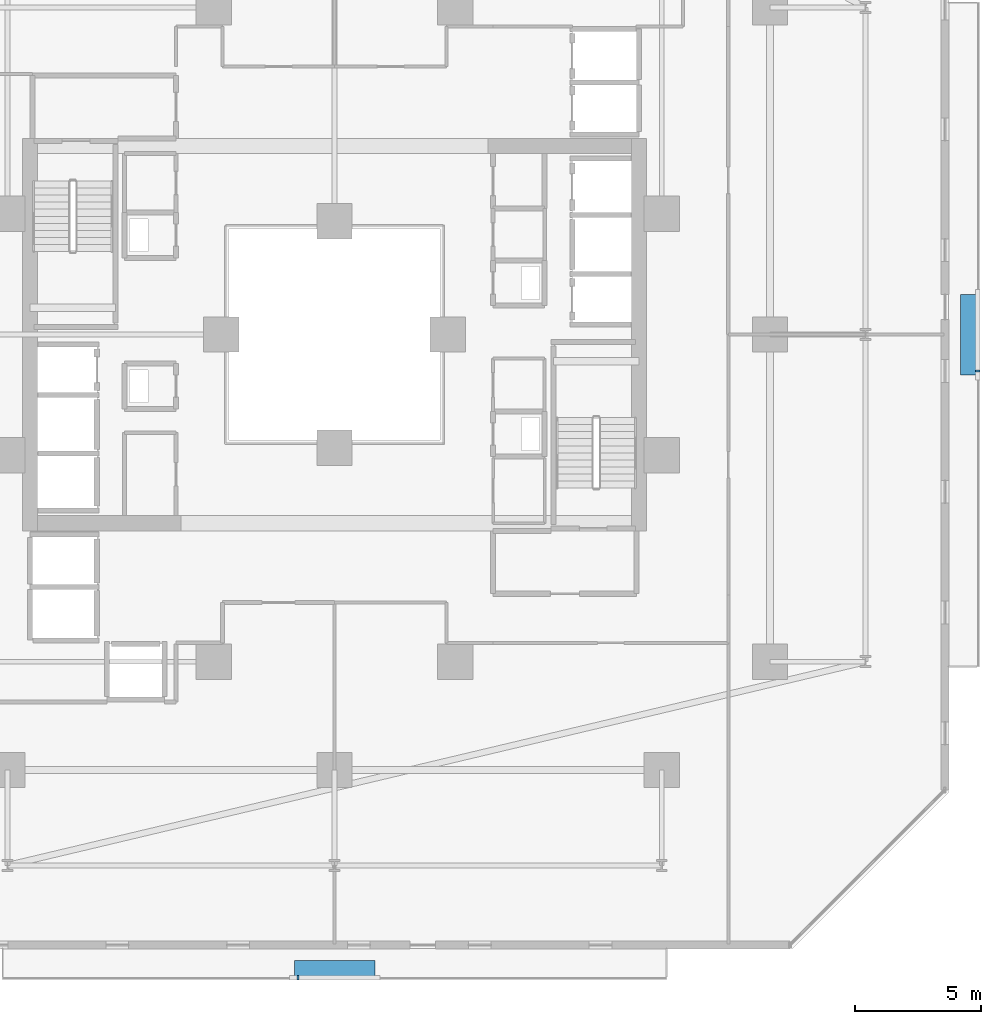
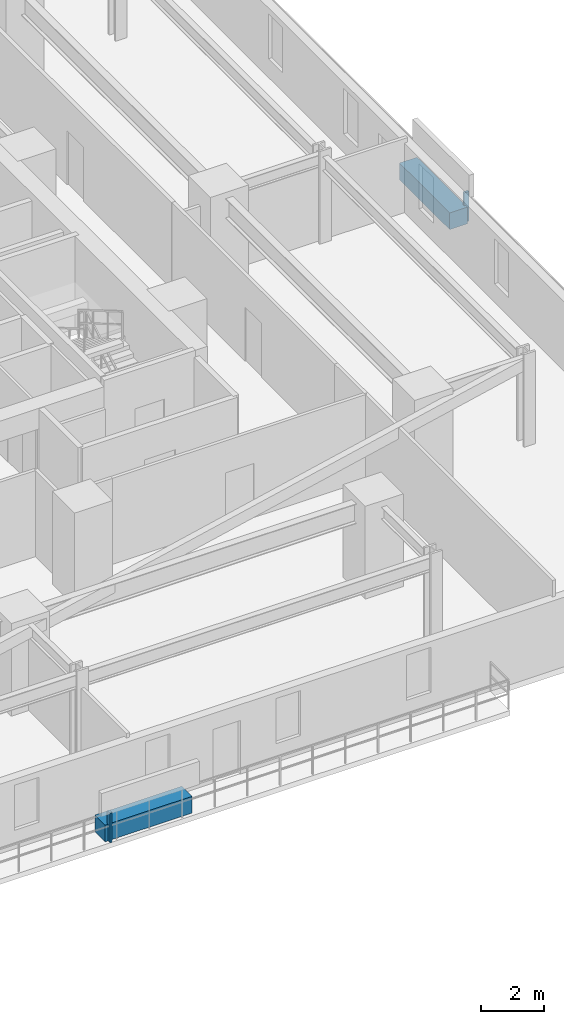
# One storey, part 28 of 34: 4 discrete accessories.
"""IFC4 building model written with IfcOpenShell, lengths in metres."""

from ifc_helpers import new_model, si_unit, direction, frame, origin, origin_2d, place, context, subcontext, project, spatial, rectangle, extrude, material, type_object, element, save


model = new_model("IFC4")

# Units and contexts
model_context = context("Model", 3, precision=1e-05, world=origin(), true_north=direction((0.0, 1.0)))
body_context = subcontext(model_context, "Body", "Model", "MODEL_VIEW")
ifc_project = project(units=[si_unit("LENGTHUNIT", "METRE"), si_unit("AREAUNIT", "SQUARE_METRE"), si_unit("VOLUMEUNIT", "CUBIC_METRE"), si_unit("PLANEANGLEUNIT", "RADIAN"), si_unit("MASSUNIT", "GRAM", prefix="KILO")], contexts=[model_context])

# Site, building, storey
site_placement = place(None, origin())
site = spatial("IfcSite", under=ifc_project, at=site_placement, CompositionType="ELEMENT")
building_placement = place(site_placement, origin())
building = spatial("IfcBuilding", under=site, at=building_placement, Name="Thornwick Lancets Civic Towers", CompositionType="ELEMENT")
storey_placement = place(building_placement, frame((0.0, 0.0, 27.89990234375)))
storey = spatial("IfcBuildingStorey", under=building, at=storey_placement, Name="L06", CompositionType="ELEMENT", Elevation=27.89990234375)

# Discrete accessories
ifc_material_1 = material(Name="Planted terracotta greenery planter", Category="masonry")
discrete_accessory_type_1 = type_object("IfcDiscreteAccessoryType", Name="ACC_PLANTER_BOX", PredefinedType="USERDEFINED", material=ifc_material_1)
discrete_accessory_1_placement = place(storey_placement, frame((88.5, 1.800048828125, 0.000244140625), z_axis=(0.0, 0.0, 1.0), x_axis=(1.0, 0.0, 0.0)))
element("IfcDiscreteAccessory", 1, at=discrete_accessory_1_placement, inside=storey, type_object=discrete_accessory_type_1, Name="L06 Tower B Balcony Greenery Planter S", ObjectType="PLANTER", PredefinedType="USERDEFINED", context=body_context, shape_type="SweptSolid", body=[
    extrude(rectangle(XDim=3.199951171875, YDim=0.64990234375, at=origin_2d()), origin(), (0.0, 0.0, 1.0), 0.64990234375),
])
discrete_accessory_2_placement = place(storey_placement, frame((113.699951171875, 27.0, 0.000244140625), z_axis=(0.0, 0.0, 1.0), x_axis=(1.0, 0.0, 0.0)))
element("IfcDiscreteAccessory", 2, at=discrete_accessory_2_placement, inside=storey, type_object=discrete_accessory_type_1, Name="L06 Tower B Balcony Greenery Planter E", ObjectType="PLANTER", PredefinedType="USERDEFINED", context=body_context, shape_type="SweptSolid", body=[
    extrude(rectangle(XDim=0.64990234375, YDim=3.199951171875, at=origin_2d()), origin(), (0.0, 0.0, 1.0), 0.64990234375),
])
ifc_material_2 = material(Name="Stainless steel S355", Category="steel")
discrete_accessory_type_2 = type_object("IfcDiscreteAccessoryType", Name="ACC_SCREEN_BRACKET", PredefinedType="BRACKET", material=ifc_material_2)
for number, where, z_axis, x_axis, name in (
    (3, (87.050048828125, 1.43994140625, 0.000244140625), (0.0, 0.0, 1.0), (1.0, 0.0, 0.0), "L06 Tower B Balcony Screen Stanchion Bracket S-1"),
    (4, (114.06005859375, 25.550048828125, 0.000244140625), (0.0, 0.0, 1.0), (0.0, 1.0, 0.0), "L06 Tower B Balcony Screen Stanchion Bracket E-1"),
):
    element("IfcDiscreteAccessory", number, at=place(storey_placement, frame(where, z_axis=z_axis, x_axis=x_axis)), inside=storey, type_object=discrete_accessory_type_2, Name=name, PredefinedType="BRACKET", context=body_context, shape_type="SweptSolid", body=[
        extrude(rectangle(XDim=0.080078125, YDim=0.179931640625, at=origin_2d()), origin(), (0.0, 0.0, 1.0), 1.14990234375),
    ])

save(model, "model.ifc")
